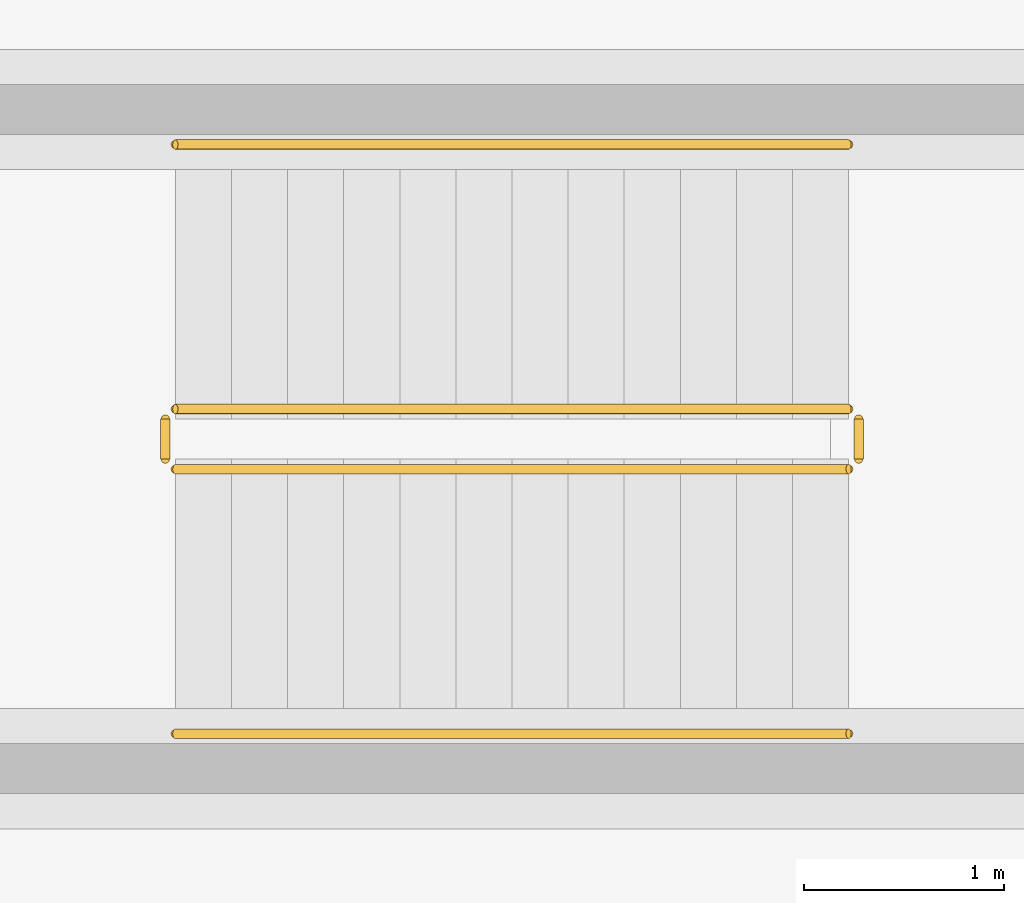
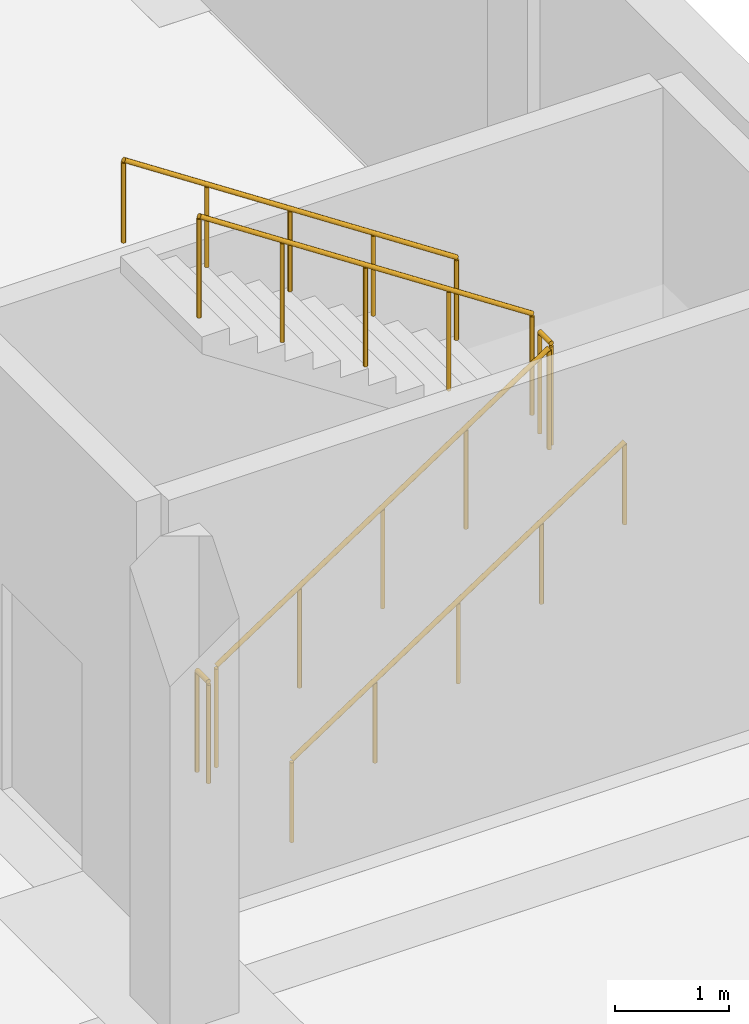
# One storey, part 47 of 50: 6 railings.
"""IFC4 building model written with IfcOpenShell, lengths in metres."""

from ifc_helpers import new_model, si_unit, direction, frame, origin, origin_2d, place, context, subcontext, project, spatial, circle, extrude, material, type_object, element, save


model = new_model("IFC4")

# Units and contexts
model_context = context("Model", 3, precision=1e-05, world=origin(), true_north=direction((0.0, 1.0)))
body_context = subcontext(model_context, "Body", "Model", "MODEL_VIEW")
ifc_project = project(units=[si_unit("LENGTHUNIT", "METRE"), si_unit("AREAUNIT", "SQUARE_METRE"), si_unit("VOLUMEUNIT", "CUBIC_METRE"), si_unit("PLANEANGLEUNIT", "RADIAN"), si_unit("MASSUNIT", "GRAM", prefix="KILO")], contexts=[model_context])

# Site, building, storey
site_placement = place(None, origin())
site = spatial("IfcSite", under=ifc_project, at=site_placement, CompositionType="ELEMENT")
building_placement = place(site_placement, origin())
building = spatial("IfcBuilding", under=site, at=building_placement, Name="Vekula Escarpment Museum", CompositionType="ELEMENT")
storey_placement = place(building_placement, frame((0.0, 0.0, -4.800048828125)))
storey = spatial("IfcBuildingStorey", under=building, at=storey_placement, Name="B1", CompositionType="ELEMENT", Elevation=-4.800048828125)

# Railings
ifc_material_1 = material(Name="Painted Steel S355 stair guard", Category="steel")
railing_type_1 = type_object("IfcRailingType", Name="RL-STAIR-GUARD", PredefinedType="GUARDRAIL", material=ifc_material_1)
railing_1_placement = place(storey_placement, frame((49.919921875, 115.969970703125, 0.1845703125)))
element("IfcRailing", 1, at=railing_1_placement, inside=storey, type_object=railing_type_1, Name="B1 ST-03 stair guard 1", PredefinedType="GUARDRAIL", context=body_context, shape_type="SweptSolid", body=[
    extrude(circle(Radius=0.02392578125, at=origin_2d()), frame((0.0, 0.0, 1.076171875), z_axis=(0.834848600103, 0.0, 0.550479622607), x_axis=(0.0, 1.0, 0.0)), (0.0, 0.0, 1.0), 4.02490234375),
    extrude(circle(Radius=0.02099609375, at=origin_2d()), origin(), (0.0, 0.0, 1.0), 1.052001953125),
    extrude(circle(Radius=0.02099609375, at=origin_2d()), frame((0.840087890625, 0.0, 0.553955078125)), (0.0, 0.0, 1.0), 1.052001953125),
    extrude(circle(Radius=0.02099609375, at=origin_2d()), frame((1.68017578125, 0.0, 1.10791015625)), (0.0, 0.0, 1.0), 1.052001953125),
    extrude(circle(Radius=0.02099609375, at=origin_2d()), frame((2.52001953125, 0.0, 1.66162109375)), (0.0, 0.0, 1.0), 1.052001953125),
    extrude(circle(Radius=0.02099609375, at=origin_2d()), frame((3.360107421875, 0.0, 2.215576171875)), (0.0, 0.0, 1.0), 1.052001953125),
])
railing_2_placement = place(storey_placement, frame((53.330078125, 116.02001953125, 2.400146484375)))
element("IfcRailing", 2, at=railing_2_placement, inside=storey, type_object=railing_type_1, Name="B1 ST-03 stair guard 2", PredefinedType="GUARDRAIL", context=body_context, shape_type="SweptSolid", body=[
    extrude(circle(Radius=0.02392578125, at=origin_2d()), frame((0.0, 0.0, 1.076171875), z_axis=(0.0, 1.0, 0.0), x_axis=(-1.0, 0.0, 0.0)), (0.0, 0.0, 1.0), 0.199951171875),
    extrude(circle(Radius=0.02099609375, at=origin_2d()), origin(), (0.0, 0.0, 1.0), 1.052001953125),
    extrude(circle(Radius=0.02099609375, at=origin_2d()), frame((0.0, 0.199951171875, 0.0)), (0.0, 0.0, 1.0), 1.052001953125),
])
railing_3_placement = place(storey_placement, frame((53.280029296875, 116.27001953125, 2.584716796875)))
element("IfcRailing", 3, at=railing_3_placement, inside=storey, type_object=railing_type_1, Name="B1 ST-03 stair guard 3", PredefinedType="GUARDRAIL", context=body_context, shape_type="SweptSolid", body=[
    extrude(circle(Radius=0.02392578125, at=origin_2d()), frame((0.0, 0.0, 1.076171875), z_axis=(-0.834876476806, 0.0, 0.550437342915), x_axis=(0.0, -1.0, 0.0)), (0.0, 0.0, 1.0), 4.024658203125),
    extrude(circle(Radius=0.02099609375, at=origin_2d()), origin(), (0.0, 0.0, 1.0), 1.052001953125),
    extrude(circle(Radius=0.02099609375, at=origin_2d()), frame((-0.840087890625, 0.0, 0.5537109375)), (0.0, 0.0, 1.0), 1.052001953125),
    extrude(circle(Radius=0.02099609375, at=origin_2d()), frame((-1.68017578125, 0.0, 1.107666015625)), (0.0, 0.0, 1.0), 1.052001953125),
    extrude(circle(Radius=0.02099609375, at=origin_2d()), frame((-2.52001953125, 0.0, 1.66162109375)), (0.0, 0.0, 1.0), 1.052001953125),
    extrude(circle(Radius=0.02099609375, at=origin_2d()), frame((-3.360107421875, 0.0, 2.21533203125)), (0.0, 0.0, 1.0), 1.052001953125),
])
railing_4_placement = place(storey_placement, frame((49.8701171875, 116.02001953125, 0.0)))
element("IfcRailing", 4, at=railing_4_placement, inside=storey, type_object=railing_type_1, Name="B1 ST-03 stair guard 4", PredefinedType="GUARDRAIL", context=body_context, shape_type="SweptSolid", body=[
    extrude(circle(Radius=0.02392578125, at=origin_2d()), frame((0.0, 0.0, 1.076171875), z_axis=(0.0, 1.0, 0.0), x_axis=(-1.0, 0.0, 0.0)), (0.0, 0.0, 1.0), 0.199951171875),
    extrude(circle(Radius=0.02099609375, at=origin_2d()), origin(), (0.0, 0.0, 1.0), 1.052001953125),
    extrude(circle(Radius=0.02099609375, at=origin_2d()), frame((0.0, 0.199951171875, 0.0)), (0.0, 0.0, 1.0), 1.052001953125),
])
ifc_material_2 = material(Name="Brushed stainless steel handrail", Category="steel")
railing_type_2 = type_object("IfcRailingType", Name="RL-STAIR-HAND", PredefinedType="HANDRAIL", material=ifc_material_2)
railing_5_placement = place(storey_placement, frame((49.919921875, 114.64990234375, 0.1845703125)))
element("IfcRailing", 5, at=railing_5_placement, inside=storey, type_object=railing_type_2, Name="B1 ST-03 stair handrail 1", PredefinedType="HANDRAIL", context=body_context, shape_type="SweptSolid", body=[
    extrude(circle(Radius=0.02392578125, at=origin_2d()), frame((0.0, 0.0, 0.8759765625), z_axis=(0.834848600103, 0.0, 0.550479622607), x_axis=(0.0, 1.0, 0.0)), (0.0, 0.0, 1.0), 4.02490234375),
    extrude(circle(Radius=0.02099609375, at=origin_2d()), origin(), (0.0, 0.0, 1.0), 0.851806640625),
    extrude(circle(Radius=0.02099609375, at=origin_2d()), frame((0.840087890625, 0.0, 0.553955078125)), (0.0, 0.0, 1.0), 0.851806640625),
    extrude(circle(Radius=0.02099609375, at=origin_2d()), frame((1.68017578125, 0.0, 1.10791015625)), (0.0, 0.0, 1.0), 0.851806640625),
    extrude(circle(Radius=0.02099609375, at=origin_2d()), frame((2.52001953125, 0.0, 1.66162109375)), (0.0, 0.0, 1.0), 0.851806640625),
    extrude(circle(Radius=0.02099609375, at=origin_2d()), frame((3.360107421875, 0.0, 2.215576171875)), (0.0, 0.0, 1.0), 0.851806640625),
])
railing_6_placement = place(storey_placement, frame((53.280029296875, 117.590087890625, 2.584716796875)))
element("IfcRailing", 6, at=railing_6_placement, inside=storey, type_object=railing_type_2, Name="B1 ST-03 stair handrail 2", PredefinedType="HANDRAIL", context=body_context, shape_type="SweptSolid", body=[
    extrude(circle(Radius=0.02392578125, at=origin_2d()), frame((0.0, 0.0, 0.8759765625), z_axis=(-0.834876476806, 0.0, 0.550437342915), x_axis=(0.0, -1.0, 0.0)), (0.0, 0.0, 1.0), 4.024658203125),
    extrude(circle(Radius=0.02099609375, at=origin_2d()), origin(), (0.0, 0.0, 1.0), 0.851806640625),
    extrude(circle(Radius=0.02099609375, at=origin_2d()), frame((-0.840087890625, 0.0, 0.5537109375)), (0.0, 0.0, 1.0), 0.851806640625),
    extrude(circle(Radius=0.02099609375, at=origin_2d()), frame((-1.68017578125, 0.0, 1.107666015625)), (0.0, 0.0, 1.0), 0.851806640625),
    extrude(circle(Radius=0.02099609375, at=origin_2d()), frame((-2.52001953125, 0.0, 1.66162109375)), (0.0, 0.0, 1.0), 0.851806640625),
    extrude(circle(Radius=0.02099609375, at=origin_2d()), frame((-3.360107421875, 0.0, 2.21533203125)), (0.0, 0.0, 1.0), 0.851806640625),
])

save(model, "model.ifc")
